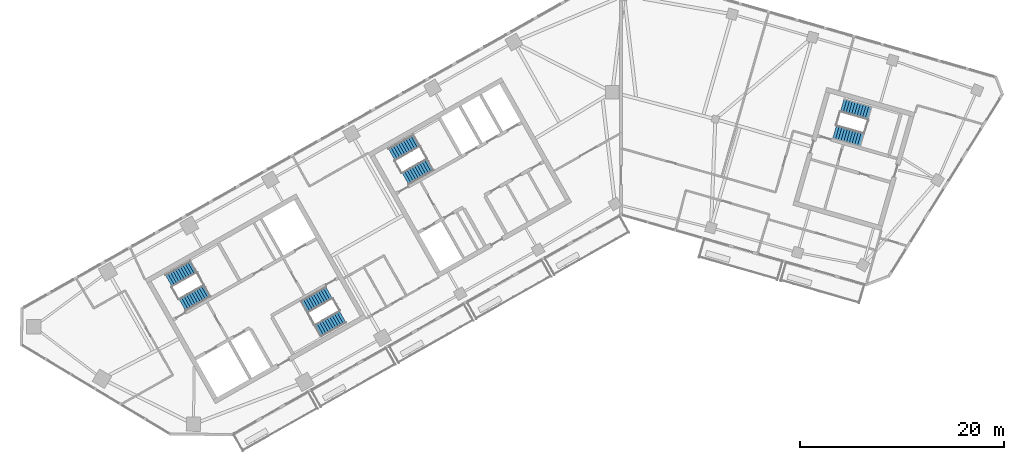
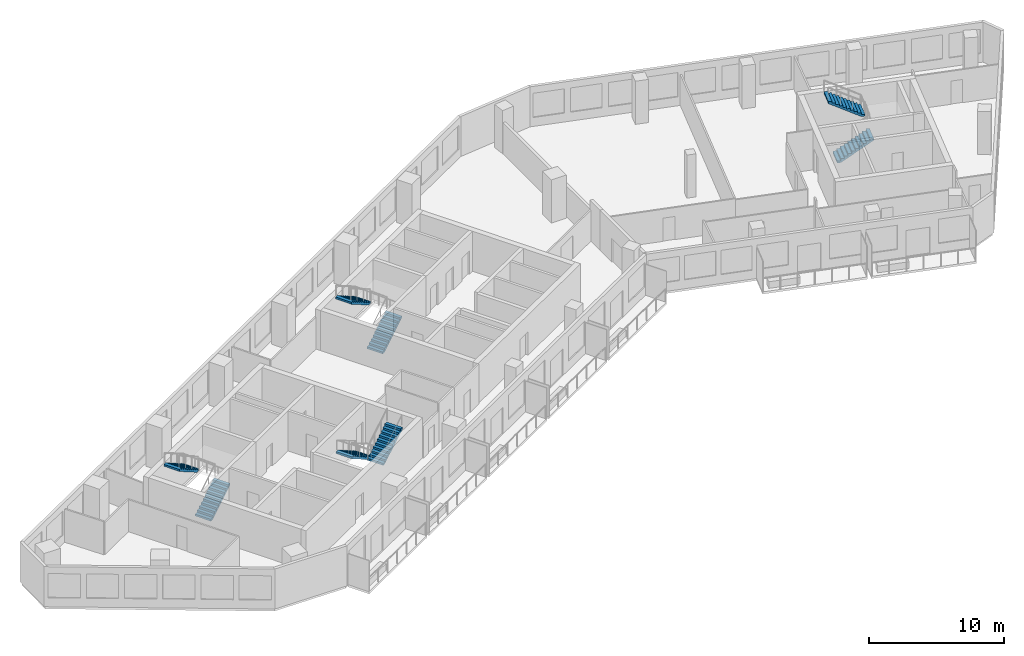
# One storey, part 9 of 12: 8 stair flights, 4 elements without a shape of their own.
"""IFC4 building model written with IfcOpenShell, lengths in metres."""

from ifc_helpers import new_model, si_unit, direction, frame, origin, place, context, subcontext, project, spatial, polyline, outline, extrude, material, type_object, element, aggregate, save


model = new_model("IFC4")

# Units and contexts
model_context = context("Model", 3, precision=1e-05, world=origin(), true_north=direction((0.0, 1.0)))
body_context = subcontext(model_context, "Body", "Model", "MODEL_VIEW")
ifc_project = project(units=[si_unit("LENGTHUNIT", "METRE"), si_unit("AREAUNIT", "SQUARE_METRE"), si_unit("VOLUMEUNIT", "CUBIC_METRE"), si_unit("PLANEANGLEUNIT", "RADIAN"), si_unit("MASSUNIT", "GRAM", prefix="KILO")], contexts=[model_context])

# Site, building, storey
site_placement = place(None, origin())
site = spatial("IfcSite", under=ifc_project, at=site_placement, CompositionType="ELEMENT")
building_placement = place(site_placement, origin())
building = spatial("IfcBuilding", under=site, at=building_placement, Name="Binnacle Exchange Tower", CompositionType="ELEMENT")
storey_placement = place(building_placement, frame((0.0, 0.0, 242.60009765625)))
storey = spatial("IfcBuildingStorey", under=building, at=storey_placement, Name="L53", CompositionType="ELEMENT", Elevation=242.60009765625)

# Stair, stair flights
ifc_material = material(Name="Concrete C35/45", Category="concrete")
stair_type = type_object("IfcStairType", Name="STAIR 22 RISERS 177", PredefinedType="HALF_TURN_STAIR", material=ifc_material)
stair_1_placement = place(storey_placement, origin())
stair_1 = element("IfcStair", 1, at=stair_1_placement, inside=storey, type_object=stair_type, Name="L53 Escape stair A1", PredefinedType="HALF_TURN_STAIR")
stair_flight_type = type_object("IfcStairFlightType", Name="STAIR FLIGHT 177X280", PredefinedType="STRAIGHT", material=ifc_material)
stair_flight_1_placement = place(storey_placement, frame((-42.9541015625, 39.17333984375, 0.0), z_axis=(0.0, 0.0, 1.0), x_axis=(0.870355584213, 0.492423757581, 0.0)))
stair_flight_1 = element("IfcStairFlight", 2, at=stair_flight_1_placement, type_object=stair_flight_type, Name="STA1 flight 1", NumberOfRisers=11, NumberOfTreads=10, PredefinedType="STRAIGHT", RiserHeight=0.177272727, TreadLength=0.28, context=body_context, shape_type="SweptSolid", body=[
    extrude(outline(polyline([(0.0, 0.0), (0.0, 0.17724609375), (0.280029296875, 0.17724609375), (0.280029296875, 0.3544921875), (0.56005859375, 0.3544921875), (0.56005859375, 0.53173828125), (0.840087890625, 0.53173828125), (0.840087890625, 0.708984375), (1.1201171875, 0.708984375), (1.1201171875, 0.886474609375), (1.39990234375, 0.886474609375), (1.39990234375, 1.063720703125), (1.679931640625, 1.063720703125), (1.679931640625, 1.240966796875), (1.9599609375, 1.240966796875), (1.9599609375, 1.418212890625), (2.239990234375, 1.418212890625), (2.239990234375, 1.595458984375), (2.52001953125, 1.595458984375), (2.52001953125, 1.772705078125), (2.800048828125, 1.772705078125), (2.800048828125, 1.949951171875), (2.800048828125, 1.59521484375), (0.2802734375, 0.0), (0.0, 0.0)])), frame((0.0, 0.675048828125, 0.0), z_axis=(0.0, -1.0, 0.0), x_axis=(1.0, 0.0, 0.0)), (0.0, 0.0, 1.0), 1.35009765625),
])
stair_flight_2_placement = place(storey_placement, frame((-41.846435546875, 42.902099609375, 1.949951171875), z_axis=(0.0, 0.0, 1.0), x_axis=(-0.870355584213, -0.492423757581, 0.0)))
stair_flight_2 = element("IfcStairFlight", 3, at=stair_flight_2_placement, type_object=stair_flight_type, Name="STA1 flight 2", NumberOfRisers=11, NumberOfTreads=10, PredefinedType="STRAIGHT", RiserHeight=0.177272727, TreadLength=0.28, context=body_context, shape_type="SweptSolid", body=[
    extrude(outline(polyline([(0.0, 0.0), (0.0, 0.17724609375), (0.280029296875, 0.17724609375), (0.280029296875, 0.3544921875), (0.56005859375, 0.3544921875), (0.56005859375, 0.53173828125), (0.840087890625, 0.53173828125), (0.840087890625, 0.708984375), (1.1201171875, 0.708984375), (1.1201171875, 0.886474609375), (1.39990234375, 0.886474609375), (1.39990234375, 1.063720703125), (1.679931640625, 1.063720703125), (1.679931640625, 1.240966796875), (1.9599609375, 1.240966796875), (1.9599609375, 1.418212890625), (2.239990234375, 1.418212890625), (2.239990234375, 1.595458984375), (2.52001953125, 1.595458984375), (2.52001953125, 1.772705078125), (2.800048828125, 1.772705078125), (2.800048828125, 1.949951171875), (2.800048828125, 1.59521484375), (0.2802734375, 0.0), (0.0, 0.0)])), frame((0.0, 0.675048828125, 0.0), z_axis=(0.0, -1.0, 0.0), x_axis=(1.0, 0.0, 0.0)), (0.0, 0.0, 1.0), 1.35009765625),
])
aggregate(stair_1, [stair_flight_1, stair_flight_2])

stair_2_placement = place(storey_placement, origin())
stair_2 = element("IfcStair", 4, at=stair_2_placement, inside=storey, type_object=stair_type, Name="L53 Escape stair A2", PredefinedType="HALF_TURN_STAIR")
stair_flight_3_placement = place(storey_placement, frame((-28.5732421875, 40.3583984375, 0.0), z_axis=(0.0, 0.0, 1.0), x_axis=(-0.870355584213, -0.492423757581, 0.0)))
stair_flight_3 = element("IfcStairFlight", 5, at=stair_flight_3_placement, type_object=stair_flight_type, Name="STA2 flight 1", NumberOfRisers=11, NumberOfTreads=10, PredefinedType="STRAIGHT", RiserHeight=0.177272727, TreadLength=0.28, context=body_context, shape_type="SweptSolid", body=[
    extrude(outline(polyline([(0.0, 0.0), (0.0, 0.17724609375), (0.280029296875, 0.17724609375), (0.280029296875, 0.3544921875), (0.56005859375, 0.3544921875), (0.56005859375, 0.53173828125), (0.840087890625, 0.53173828125), (0.840087890625, 0.708984375), (1.1201171875, 0.708984375), (1.1201171875, 0.886474609375), (1.39990234375, 0.886474609375), (1.39990234375, 1.063720703125), (1.679931640625, 1.063720703125), (1.679931640625, 1.240966796875), (1.9599609375, 1.240966796875), (1.9599609375, 1.418212890625), (2.239990234375, 1.418212890625), (2.239990234375, 1.595458984375), (2.52001953125, 1.595458984375), (2.52001953125, 1.772705078125), (2.800048828125, 1.772705078125), (2.800048828125, 1.949951171875), (2.800048828125, 1.59521484375), (0.2802734375, 0.0), (0.0, 0.0)])), frame((0.0, 0.675048828125, 0.0), z_axis=(0.0, -1.0, 0.0), x_axis=(1.0, 0.0, 0.0)), (0.0, 0.0, 1.0), 1.35009765625),
])
stair_flight_4_placement = place(storey_placement, frame((-29.6806640625, 36.629638671875, 1.949951171875), z_axis=(0.0, 0.0, 1.0), x_axis=(0.870355584213, 0.492423757581, 0.0)))
stair_flight_4 = element("IfcStairFlight", 6, at=stair_flight_4_placement, type_object=stair_flight_type, Name="STA2 flight 2", NumberOfRisers=11, NumberOfTreads=10, PredefinedType="STRAIGHT", RiserHeight=0.177272727, TreadLength=0.28, context=body_context, shape_type="SweptSolid", body=[
    extrude(outline(polyline([(0.0, 0.0), (0.0, 0.17724609375), (0.280029296875, 0.17724609375), (0.280029296875, 0.3544921875), (0.56005859375, 0.3544921875), (0.56005859375, 0.53173828125), (0.840087890625, 0.53173828125), (0.840087890625, 0.708984375), (1.1201171875, 0.708984375), (1.1201171875, 0.886474609375), (1.39990234375, 0.886474609375), (1.39990234375, 1.063720703125), (1.679931640625, 1.063720703125), (1.679931640625, 1.240966796875), (1.9599609375, 1.240966796875), (1.9599609375, 1.418212890625), (2.239990234375, 1.418212890625), (2.239990234375, 1.595458984375), (2.52001953125, 1.595458984375), (2.52001953125, 1.772705078125), (2.800048828125, 1.772705078125), (2.800048828125, 1.949951171875), (2.800048828125, 1.59521484375), (0.2802734375, 0.0), (0.0, 0.0)])), frame((0.0, 0.675048828125, 0.0), z_axis=(0.0, -1.0, 0.0), x_axis=(1.0, 0.0, 0.0)), (0.0, 0.0, 1.0), 1.35009765625),
])
aggregate(stair_2, [stair_flight_3, stair_flight_4])

stair_3_placement = place(storey_placement, origin())
stair_3 = element("IfcStair", 7, at=stair_3_placement, inside=storey, type_object=stair_type, Name="L53 Escape stair C1", PredefinedType="HALF_TURN_STAIR")
stair_flight_5_placement = place(storey_placement, frame((-21.115966796875, 51.528564453125, 0.0), z_axis=(0.0, 0.0, 1.0), x_axis=(0.870355584213, 0.492423757581, 0.0)))
stair_flight_5 = element("IfcStairFlight", 8, at=stair_flight_5_placement, type_object=stair_flight_type, Name="STC1 flight 1", NumberOfRisers=11, NumberOfTreads=10, PredefinedType="STRAIGHT", RiserHeight=0.177272727, TreadLength=0.28, context=body_context, shape_type="SweptSolid", body=[
    extrude(outline(polyline([(0.0, 0.0), (0.0, 0.17724609375), (0.280029296875, 0.17724609375), (0.280029296875, 0.3544921875), (0.56005859375, 0.3544921875), (0.56005859375, 0.53173828125), (0.840087890625, 0.53173828125), (0.840087890625, 0.708984375), (1.1201171875, 0.708984375), (1.1201171875, 0.886474609375), (1.39990234375, 0.886474609375), (1.39990234375, 1.063720703125), (1.679931640625, 1.063720703125), (1.679931640625, 1.240966796875), (1.9599609375, 1.240966796875), (1.9599609375, 1.418212890625), (2.239990234375, 1.418212890625), (2.239990234375, 1.595458984375), (2.52001953125, 1.595458984375), (2.52001953125, 1.772705078125), (2.800048828125, 1.772705078125), (2.800048828125, 1.949951171875), (2.800048828125, 1.59521484375), (0.2802734375, 0.0), (0.0, 0.0)])), frame((0.0, 0.675048828125, 0.0), z_axis=(0.0, -1.0, 0.0), x_axis=(1.0, 0.0, 0.0)), (0.0, 0.0, 1.0), 1.35009765625),
])
stair_flight_6_placement = place(storey_placement, frame((-20.008544921875, 55.25732421875, 1.949951171875), z_axis=(0.0, 0.0, 1.0), x_axis=(-0.870355584213, -0.492423757581, 0.0)))
stair_flight_6 = element("IfcStairFlight", 9, at=stair_flight_6_placement, type_object=stair_flight_type, Name="STC1 flight 2", NumberOfRisers=11, NumberOfTreads=10, PredefinedType="STRAIGHT", RiserHeight=0.177272727, TreadLength=0.28, context=body_context, shape_type="SweptSolid", body=[
    extrude(outline(polyline([(0.0, 0.0), (0.0, 0.17724609375), (0.280029296875, 0.17724609375), (0.280029296875, 0.3544921875), (0.56005859375, 0.3544921875), (0.56005859375, 0.53173828125), (0.840087890625, 0.53173828125), (0.840087890625, 0.708984375), (1.1201171875, 0.708984375), (1.1201171875, 0.886474609375), (1.39990234375, 0.886474609375), (1.39990234375, 1.063720703125), (1.679931640625, 1.063720703125), (1.679931640625, 1.240966796875), (1.9599609375, 1.240966796875), (1.9599609375, 1.418212890625), (2.239990234375, 1.418212890625), (2.239990234375, 1.595458984375), (2.52001953125, 1.595458984375), (2.52001953125, 1.772705078125), (2.800048828125, 1.772705078125), (2.800048828125, 1.949951171875), (2.800048828125, 1.59521484375), (0.2802734375, 0.0), (0.0, 0.0)])), frame((0.0, 0.675048828125, 0.0), z_axis=(0.0, -1.0, 0.0), x_axis=(1.0, 0.0, 0.0)), (0.0, 0.0, 1.0), 1.35009765625),
])
aggregate(stair_3, [stair_flight_5, stair_flight_6])

stair_4_placement = place(storey_placement, origin())
stair_4 = element("IfcStair", 10, at=stair_4_placement, inside=storey, type_object=stair_type, Name="L53 Escape stair D1", PredefinedType="HALF_TURN_STAIR")
stair_flight_7_placement = place(storey_placement, frame((20.914306640625, 56.109619140625, 0.0), z_axis=(0.0, 0.0, 1.0), x_axis=(0.961261811397, -0.275636953165, 0.0)))
stair_flight_7 = element("IfcStairFlight", 11, at=stair_flight_7_placement, type_object=stair_flight_type, Name="STD1 flight 1", NumberOfRisers=11, NumberOfTreads=10, PredefinedType="STRAIGHT", RiserHeight=0.177272727, TreadLength=0.28, context=body_context, shape_type="SweptSolid", body=[
    extrude(outline(polyline([(0.0, 0.0), (0.0, 0.17724609375), (0.280029296875, 0.17724609375), (0.280029296875, 0.3544921875), (0.56005859375, 0.3544921875), (0.56005859375, 0.53173828125), (0.840087890625, 0.53173828125), (0.840087890625, 0.708984375), (1.1201171875, 0.708984375), (1.1201171875, 0.886474609375), (1.39990234375, 0.886474609375), (1.39990234375, 1.063720703125), (1.679931640625, 1.063720703125), (1.679931640625, 1.240966796875), (1.9599609375, 1.240966796875), (1.9599609375, 1.418212890625), (2.239990234375, 1.418212890625), (2.239990234375, 1.595458984375), (2.52001953125, 1.595458984375), (2.52001953125, 1.772705078125), (2.800048828125, 1.772705078125), (2.800048828125, 1.949951171875), (2.800048828125, 1.59521484375), (0.2802734375, 0.0), (0.0, 0.0)])), frame((0.0, 0.675048828125, 0.0), z_axis=(0.0, -1.0, 0.0), x_axis=(1.0, 0.0, 0.0)), (0.0, 0.0, 1.0), 1.35009765625),
])
stair_flight_8_placement = place(storey_placement, frame((24.35009765625, 57.93310546875, 1.949951171875), z_axis=(0.0, 0.0, 1.0), x_axis=(-0.961261811397, 0.275636953165, 0.0)))
stair_flight_8 = element("IfcStairFlight", 12, at=stair_flight_8_placement, type_object=stair_flight_type, Name="STD1 flight 2", NumberOfRisers=11, NumberOfTreads=10, PredefinedType="STRAIGHT", RiserHeight=0.177272727, TreadLength=0.28, context=body_context, shape_type="SweptSolid", body=[
    extrude(outline(polyline([(0.0, 0.0), (0.0, 0.17724609375), (0.280029296875, 0.17724609375), (0.280029296875, 0.3544921875), (0.56005859375, 0.3544921875), (0.56005859375, 0.53173828125), (0.840087890625, 0.53173828125), (0.840087890625, 0.708984375), (1.1201171875, 0.708984375), (1.1201171875, 0.886474609375), (1.39990234375, 0.886474609375), (1.39990234375, 1.063720703125), (1.679931640625, 1.063720703125), (1.679931640625, 1.240966796875), (1.9599609375, 1.240966796875), (1.9599609375, 1.418212890625), (2.239990234375, 1.418212890625), (2.239990234375, 1.595458984375), (2.52001953125, 1.595458984375), (2.52001953125, 1.772705078125), (2.800048828125, 1.772705078125), (2.800048828125, 1.949951171875), (2.800048828125, 1.59521484375), (0.2802734375, 0.0), (0.0, 0.0)])), frame((0.0, 0.675048828125, 0.0), z_axis=(0.0, -1.0, 0.0), x_axis=(1.0, 0.0, 0.0)), (0.0, 0.0, 1.0), 1.35009765625),
])
aggregate(stair_4, [stair_flight_7, stair_flight_8])

save(model, "model.ifc")
